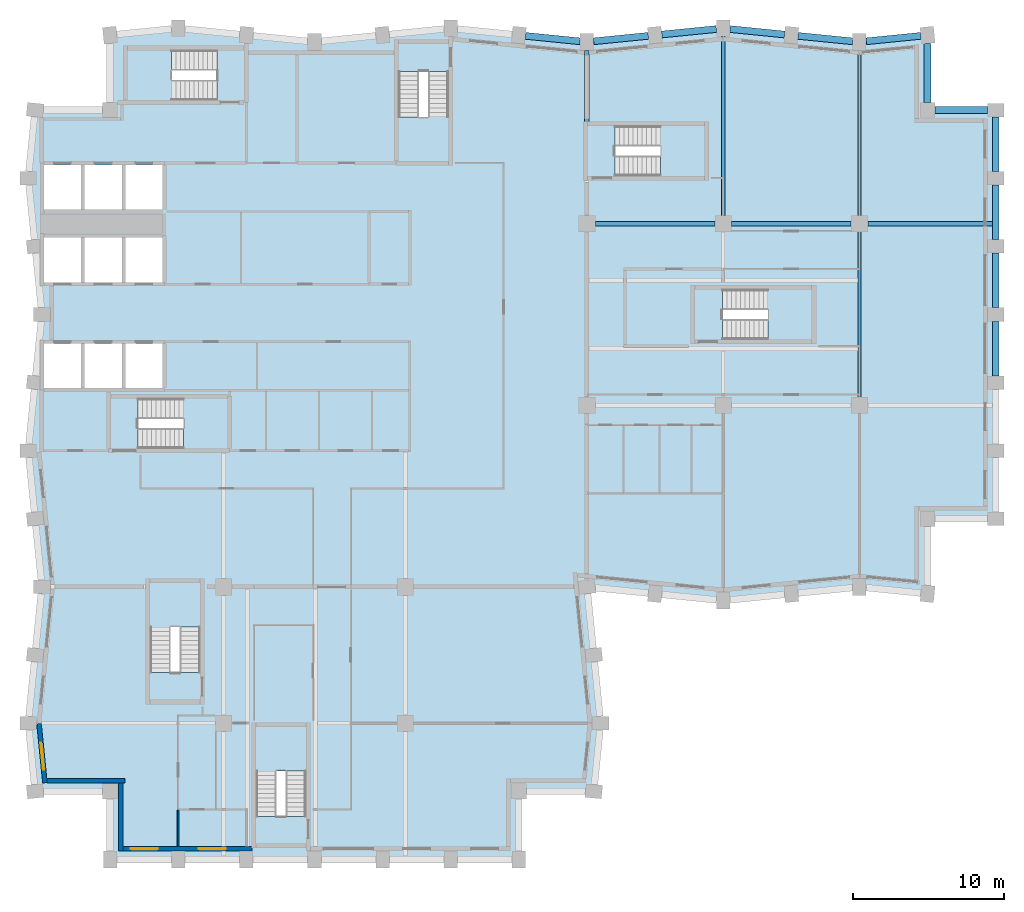
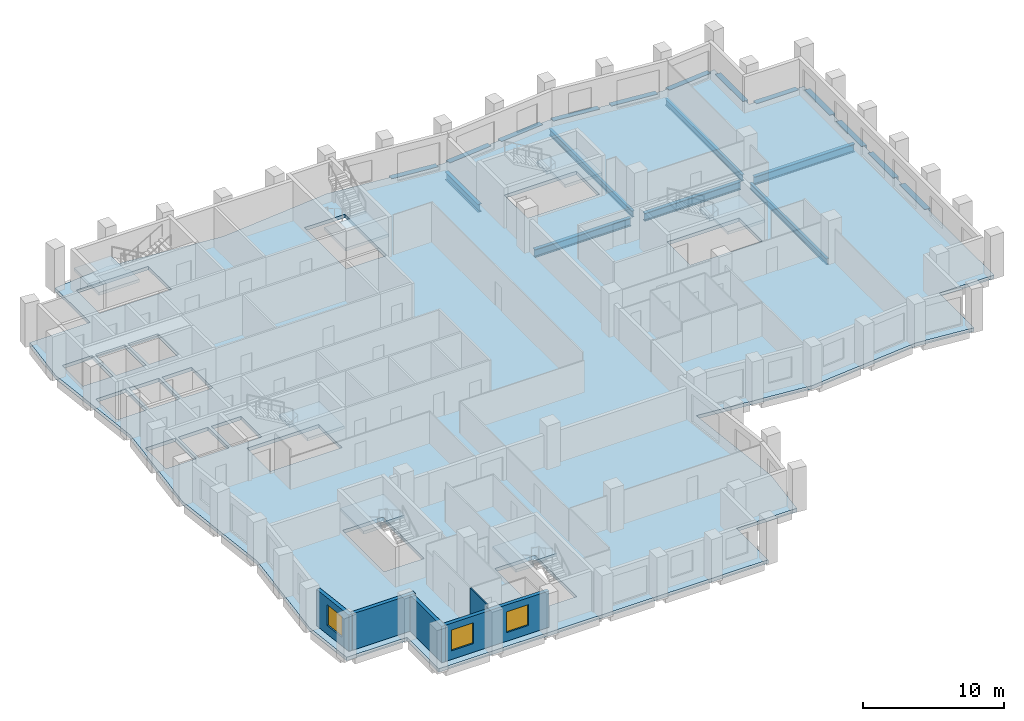
# One storey, part 2 of 10: 19 beams, 8 slabs, 5 walls, 3 windows, 3 openings, 7 elements without a shape of their own.
"""IFC4 building model written with IfcOpenShell, lengths in metres."""

from ifc_helpers import new_model, si_unit, direction, frame, frame_2d, origin, origin_2d, place, context, subcontext, project, spatial, polyline, rectangle, i_section, outline, extrude, material, layer, layer_set, material_profile, profile_set, type_object, element, fill, aggregate, save


model = new_model("IFC4")

# Units and contexts
model_context = context("Model", 3, precision=1e-05, world=origin(), true_north=direction((0.0, 1.0)))
body_context = subcontext(model_context, "Body", "Model", "MODEL_VIEW")
ifc_project = project(units=[si_unit("LENGTHUNIT", "METRE"), si_unit("AREAUNIT", "SQUARE_METRE"), si_unit("VOLUMEUNIT", "CUBIC_METRE"), si_unit("PLANEANGLEUNIT", "RADIAN"), si_unit("MASSUNIT", "GRAM", prefix="KILO")], contexts=[model_context])

# Site, building, storey
site_placement = place(None, origin())
site = spatial("IfcSite", under=ifc_project, at=site_placement, CompositionType="ELEMENT")
building_placement = place(site_placement, origin())
building = spatial("IfcBuilding", under=site, at=building_placement, Name="Brondeck Convention Tower", CompositionType="ELEMENT")
storey_placement = place(building_placement, frame((0.0, 0.0, 147.199951171875)))
storey = spatial("IfcBuildingStorey", under=building, at=storey_placement, Name="L35", CompositionType="ELEMENT", Elevation=147.199951171875)

# Beams
ifc_material_1 = material(Name="Steel S355", Category="steel")
ifc_material_profile_1 = material_profile(ifc_material_1, i_section(OverallWidth=0.2099609375, OverallDepth=0.550048828125, WebThickness=0.010986328125, FlangeThickness=0.01708984375, FilletRadius=0.02392578125, at=origin_2d()), Name="IPE 550")
ifc_profile_set_1 = profile_set([ifc_material_profile_1], Name="Steel S355")
beam_type_1 = type_object("IfcBeamType", Name="Floor beam IPE 550", PredefinedType="BEAM", material=ifc_profile_set_1)
beam_1_placement = place(storey_placement, frame((45.0, 51.550048828125, -0.574951171875), z_axis=(0.0, 1.0, 0.0), x_axis=(-1.0, 0.0, 0.0)))
element("IfcBeam", 1, at=beam_1_placement, inside=storey, type_object=beam_type_1, Name="STR-FB-L35-002", PredefinedType="BEAM", context=body_context, shape_type="SweptSolid", body=[
    extrude(i_section(OverallWidth=0.2099609375, OverallDepth=0.550048828125, WebThickness=0.010986328125, FlangeThickness=0.01708984375, FilletRadius=0.02392578125, at=origin_2d()), origin(), (0.0, 0.0, 1.0), 11.800048828125),
])
for number, where, z_axis, x_axis, name in (
    (2, (54.0, 39.550048828125, -0.574951171875), (0.0, 1.0, 0.0), (-1.0, 0.0, 0.0), "STR-FB-L35-004"),
    (3, (54.0, 51.550048828125, -0.574951171875), (0.0, 1.0, 0.0), (-1.0, 0.0, 0.0), "STR-FB-L35-005"),
):
    element("IfcBeam", number, at=place(storey_placement, frame(where, z_axis=z_axis, x_axis=x_axis)), inside=storey, type_object=beam_type_1, Name=name, PredefinedType="BEAM", context=body_context, shape_type="SweptSolid", body=[
        extrude(i_section(OverallWidth=0.2099609375, OverallDepth=0.550048828125, WebThickness=0.010986328125, FlangeThickness=0.01708984375, FilletRadius=0.02392578125, at=origin_2d()), origin(), (0.0, 0.0, 1.0), 10.89990234375),
    ])
ifc_material_profile_2 = material_profile(ifc_material_1, i_section(OverallWidth=0.300048828125, OverallDepth=0.699951171875, WebThickness=0.01708984375, FlangeThickness=0.031982421875, FilletRadius=0.027099609375, at=origin_2d()), Name="HEB 700")
ifc_profile_set_2 = profile_set([ifc_material_profile_2], Name="Steel S355")
beam_type_2 = type_object("IfcBeamType", Name="Girder HEB 700", PredefinedType="BEAM", material=ifc_profile_set_2)
for number, where, z_axis, x_axis, name in (
    (4, (36.550048828125, 51.0, -0.64990234375), (1.0, 0.0, 0.0), (0.0, 1.0, 0.0), "STR-GR-L35-004"),
    (5, (45.550048828125, 51.0, -0.64990234375), (1.0, 0.0, 0.0), (0.0, 1.0, 0.0), "STR-GR-L35-005"),
):
    element("IfcBeam", number, at=place(storey_placement, frame(where, z_axis=z_axis, x_axis=x_axis)), inside=storey, type_object=beam_type_2, Name=name, PredefinedType="BEAM", context=body_context, shape_type="SweptSolid", body=[
        extrude(i_section(OverallWidth=0.300048828125, OverallDepth=0.699951171875, WebThickness=0.01708984375, FlangeThickness=0.031982421875, FilletRadius=0.027099609375, at=origin_2d()), origin(), (0.0, 0.0, 1.0), 7.89990234375),
    ])
beam_2_placement = place(storey_placement, frame((54.550048828125, 51.0, -0.64990234375), z_axis=(1.0, 0.0, 0.0), x_axis=(0.0, 1.0, 0.0)))
element("IfcBeam", 6, at=beam_2_placement, inside=storey, type_object=beam_type_2, Name="STR-GR-L35-006", PredefinedType="BEAM", context=body_context, shape_type="SweptSolid", body=[
    extrude(i_section(OverallWidth=0.300048828125, OverallDepth=0.699951171875, WebThickness=0.01708984375, FlangeThickness=0.031982421875, FilletRadius=0.027099609375, at=origin_2d()), origin(), (0.0, 0.0, 1.0), 8.224853515625),
])
beam_3_placement = place(storey_placement, frame((36.0, 57.719970703125, -0.64990234375), z_axis=(0.0, 1.0, 0.0), x_axis=(-1.0, 0.0, 0.0)))
element("IfcBeam", 7, at=beam_3_placement, inside=storey, type_object=beam_type_2, Name="STR-GR-L35-010", PredefinedType="BEAM", context=body_context, shape_type="SweptSolid", body=[
    extrude(i_section(OverallWidth=0.300048828125, OverallDepth=0.699951171875, WebThickness=0.01708984375, FlangeThickness=0.031982421875, FilletRadius=0.027099609375, at=origin_2d()), origin(), (0.0, 0.0, 1.0), 4.72998046875),
])
ifc_material_2 = material(Name="Concrete C70/85", Category="concrete")
ifc_material_profile_3 = material_profile(ifc_material_2, rectangle(XDim=0.449951171875, YDim=0.64990234375, at=origin_2d()), Name="Precast spandrel 450x650 Concrete C70/85")
ifc_profile_set_3 = profile_set([ifc_material_profile_3], Name="Concrete C70/85")
beam_type_3 = type_object("IfcBeamType", Name="Precast spandrel 450x650 Concrete C70/85", PredefinedType="SPANDREL", material=ifc_profile_set_3)
for number, where, z_axis, x_axis, name in (
    (8, (63.0, 40.949951171875, -0.324951171875), (0.0, 1.0, 0.0), (-1.0, 0.0, 0.0), "STR-SP-L35-021"),
    (9, (63.0, 45.449951171875, -0.324951171875), (0.0, 1.0, 0.0), (-1.0, 0.0, 0.0), "STR-SP-L35-022"),
    (10, (63.0, 49.949951171875, -0.324951171875), (0.0, 1.0, 0.0), (-1.0, 0.0, 0.0), "STR-SP-L35-023"),
    (11, (63.0, 54.449951171875, -0.324951171875), (0.0, 1.0, 0.0), (-1.0, 0.0, 0.0), "STR-SP-L35-024"),
):
    element("IfcBeam", number, at=place(storey_placement, frame(where, z_axis=z_axis, x_axis=x_axis)), inside=storey, type_object=beam_type_3, Name=name, PredefinedType="SPANDREL", context=body_context, shape_type="SweptSolid", body=[
        extrude(rectangle(XDim=0.449951171875, YDim=0.64990234375, at=origin_2d()), origin(), (0.0, 0.0, 1.0), 3.60009765625),
    ])
beam_4_placement = place(storey_placement, frame((62.449951171875, 58.5, -0.324951171875), z_axis=(-1.0, 0.0, 0.0), x_axis=(0.0, -1.0, 0.0)))
element("IfcBeam", 12, at=beam_4_placement, inside=storey, type_object=beam_type_3, Name="STR-SP-L35-025", PredefinedType="SPANDREL", context=body_context, shape_type="SweptSolid", body=[
    extrude(rectangle(XDim=0.449951171875, YDim=0.64990234375, at=origin_2d()), origin(), (0.0, 0.0, 1.0), 3.449951171875),
])
beam_5_placement = place(storey_placement, frame((58.5, 59.0, -0.324951171875), z_axis=(0.0, 1.0, 0.0), x_axis=(-1.0, 0.0, 0.0)))
element("IfcBeam", 13, at=beam_5_placement, inside=storey, type_object=beam_type_3, Name="STR-SP-L35-026", PredefinedType="SPANDREL", context=body_context, shape_type="SweptSolid", body=[
    extrude(rectangle(XDim=0.449951171875, YDim=0.64990234375, at=origin_2d()), origin(), (0.0, 0.0, 1.0), 3.897216796875),
])
for number, where, z_axis, x_axis, name in (
    (14, (58.05224609375, 63.4052734375, -0.324951171875), (-0.995033851182, -0.099537103649, 0.0), (0.099537103649, -0.995033851182, 0.0), "STR-SP-L35-027"),
    (15, (53.550048828125, 63.044921875, -0.324951171875), (-0.995033851182, 0.099537103649, 0.0), (-0.099537103649, -0.995033851182, 0.0), "STR-SP-L35-028"),
    (16, (49.05224609375, 63.494873046875, -0.324951171875), (-0.995040528141, 0.099470334057, 0.0), (-0.099470334057, -0.995040528141, 0.0), "STR-SP-L35-029"),
    (17, (44.550048828125, 63.85498046875, -0.324951171875), (-0.995040528141, -0.099470334057, 0.0), (0.099470334057, -0.995040528141, 0.0), "STR-SP-L35-030"),
    (18, (40.05224609375, 63.4052734375, -0.324951171875), (-0.995033851182, -0.099537103649, 0.0), (0.099537103649, -0.995033851182, 0.0), "STR-SP-L35-031"),
    (19, (35.550048828125, 63.044921875, -0.324951171875), (-0.995033851182, 0.099537103649, 0.0), (-0.099537103649, -0.995033851182, 0.0), "STR-SP-L35-032"),
):
    element("IfcBeam", number, at=place(storey_placement, frame(where, z_axis=z_axis, x_axis=x_axis)), inside=storey, type_object=beam_type_3, Name=name, PredefinedType="SPANDREL", context=body_context, shape_type="SweptSolid", body=[
        extrude(rectangle(XDim=0.449951171875, YDim=0.64990234375, at=origin_2d()), origin(), (0.0, 0.0, 1.0), 3.620361328125),
    ])

# Slab
ifc_material_3 = material(Name="Concrete C35/45", Category="concrete")
ifc_layer_1 = layer(ifc_material_3, 0.300048828125)
ifc_layer_set_1 = layer_set([ifc_layer_1], Name="Composite floor slab 300")
slab_type_1 = type_object("IfcSlabType", Name="Composite floor slab 300", PredefinedType="FLOOR", material=ifc_layer_set_1)
slab_1_placement = place(storey_placement, frame((0.0, 0.0, -0.300048828125)))
element("IfcSlab", 20, at=slab_1_placement, inside=storey, type_object=slab_type_1, Name="STR-SL-L35", PredefinedType="FLOOR", context=body_context, shape_type="SweptSolid", body=[
    extrude(outline(polyline([(4.5, 13.5), (-0.449951171875, 13.5), (-0.89990234375, 18.0), (0.0, 27.0), (-0.89990234375, 36.0), (0.0, 45.0), (-0.89990234375, 54.0), (-0.449951171875, 58.5), (4.5, 58.5), (4.5, 63.449951171875), (9.0, 63.89990234375), (18.0, 63.0), (27.0, 63.89990234375), (36.0, 63.0), (45.0, 63.89990234375), (54.0, 63.0), (58.5, 63.449951171875), (58.5, 58.5), (63.0, 58.5), (63.0, 31.5), (58.5, 31.5), (58.5, 26.550048828125), (54.0, 27.0), (45.0, 26.10009765625), (36.0, 27.0), (36.89990234375, 18.0), (36.449951171875, 13.5), (31.5, 13.5), (31.5, 9.0), (4.5, 9.0), (4.5, 13.5)]), holes=[polyline([(2.574951171875, 40.125), (2.574951171875, 43.074951171875), (0.125, 43.074951171875), (0.125, 40.125), (2.574951171875, 40.125)]), polyline([(5.27490234375, 40.125), (5.27490234375, 43.074951171875), (2.824951171875, 43.074951171875), (2.824951171875, 40.125), (5.27490234375, 40.125)]), polyline([(7.97509765625, 40.125), (7.97509765625, 43.074951171875), (5.52490234375, 43.074951171875), (5.52490234375, 40.125), (7.97509765625, 40.125)]), polyline([(2.574951171875, 47.125), (2.574951171875, 50.074951171875), (0.125, 50.074951171875), (0.125, 47.125), (2.574951171875, 47.125)]), polyline([(5.27490234375, 47.125), (5.27490234375, 50.074951171875), (2.824951171875, 50.074951171875), (2.824951171875, 47.125), (5.27490234375, 47.125)]), polyline([(7.97509765625, 47.125), (7.97509765625, 50.074951171875), (5.52490234375, 50.074951171875), (5.52490234375, 47.125), (7.97509765625, 47.125)]), polyline([(2.574951171875, 51.925048828125), (2.574951171875, 54.875), (0.125, 54.875), (0.125, 51.925048828125), (2.574951171875, 51.925048828125)]), polyline([(5.27490234375, 51.925048828125), (5.27490234375, 54.875), (2.824951171875, 54.875), (2.824951171875, 51.925048828125), (5.27490234375, 51.925048828125)]), polyline([(17.447998046875, 17.748046875), (14.152099609375, 17.748046875), (14.152099609375, 11.85205078125), (17.447998046875, 11.85205078125), (17.447998046875, 17.748046875)]), polyline([(10.447998046875, 27.248046875), (7.152099609375, 27.248046875), (7.152099609375, 21.35205078125), (10.447998046875, 21.35205078125), (10.447998046875, 27.248046875)]), polyline([(12.248046875, 36.152099609375), (12.248046875, 39.447998046875), (6.35205078125, 39.447998046875), (6.35205078125, 36.152099609375), (12.248046875, 36.152099609375)]), polyline([(50.847900390625, 43.35205078125), (50.847900390625, 46.64794921875), (44.951904296875, 46.64794921875), (44.951904296875, 43.35205078125), (50.847900390625, 43.35205078125)]), polyline([(7.97509765625, 51.925048828125), (7.97509765625, 54.875), (5.52490234375, 54.875), (5.52490234375, 51.925048828125), (7.97509765625, 51.925048828125)]), polyline([(43.748046875, 54.152099609375), (43.748046875, 57.447998046875), (37.85205078125, 57.447998046875), (37.85205078125, 54.152099609375), (43.748046875, 54.152099609375)]), polyline([(23.552001953125, 55.152099609375), (26.847900390625, 55.152099609375), (26.847900390625, 61.048095703125), (23.552001953125, 61.048095703125), (23.552001953125, 55.152099609375)]), polyline([(5.652099609375, 62.447998046875), (5.652099609375, 59.152099609375), (11.548095703125, 59.152099609375), (11.548095703125, 62.447998046875), (5.652099609375, 62.447998046875)])]), origin(), (0.0, 0.0, 1.0), 0.300048828125),
])

# Stair, slab
ifc_material_4 = material(Name="Precast concrete C50/60", Category="concrete")
stair_type = type_object("IfcStairType", Name="Core stair 22 risers 172.73 mm riser 300 mm going 1350 wide", PredefinedType="HALF_TURN_STAIR", material=ifc_material_4)
stair_1_placement = place(storey_placement, origin())
stair_1 = element("IfcStair", 21, at=stair_1_placement, inside=storey, type_object=stair_type, Name="ST-1 L35 stair", PredefinedType="HALF_TURN_STAIR")
ifc_layer_2 = layer(ifc_material_4, 0.25)
ifc_layer_set_2 = layer_set([ifc_layer_2], Name="Core stair landing 250 Precast concrete C50/60")
slab_type_2 = type_object("IfcSlabType", Name="Core stair landing 250 Precast concrete C50/60", PredefinedType="LANDING", material=ifc_layer_set_2)
slab_2_placement = place(storey_placement, frame((0.0, 0.0, 1.650146484375)))
slab_2 = element("IfcSlab", 22, at=slab_2_placement, type_object=slab_type_2, Name="ST-1 landing 1", PredefinedType="LANDING", context=body_context, shape_type="SweptSolid", body=[
    extrude(outline(polyline([(9.347900390625, 37.5), (9.35009765625, 37.5), (9.35009765625, 38.10009765625), (9.050048828125, 38.10009765625), (9.050048828125, 39.570068359375), (12.3701171875, 39.570068359375), (12.3701171875, 36.030029296875), (9.347900390625, 36.030029296875), (9.347900390625, 37.5)])), origin(), (0.0, 0.0, 1.0), 0.25),
])
aggregate(stair_1, [slab_2])

stair_2_placement = place(storey_placement, origin())
stair_2 = element("IfcStair", 23, at=stair_2_placement, inside=storey, type_object=stair_type, Name="ST-2 L35 stair", PredefinedType="HALF_TURN_STAIR")
slab_3_placement = place(storey_placement, frame((0.0, 0.0, 1.650146484375)))
slab_3 = element("IfcSlab", 24, at=slab_3_placement, type_object=slab_type_2, Name="ST-2 landing 1", PredefinedType="LANDING", context=body_context, shape_type="SweptSolid", body=[
    extrude(outline(polyline([(23.429931640625, 58.052001953125), (24.89990234375, 58.052001953125), (24.89990234375, 58.050048828125), (25.5, 58.050048828125), (25.5, 58.35009765625), (26.969970703125, 58.35009765625), (26.969970703125, 55.030029296875), (23.429931640625, 55.030029296875), (23.429931640625, 58.052001953125)])), origin(), (0.0, 0.0, 1.0), 0.25),
])
aggregate(stair_2, [slab_3])

stair_3_placement = place(storey_placement, origin())
stair_3 = element("IfcStair", 25, at=stair_3_placement, inside=storey, type_object=stair_type, Name="ST-3 L35 stair", PredefinedType="HALF_TURN_STAIR")
slab_4_placement = place(storey_placement, frame((0.0, 0.0, 1.650146484375)))
slab_4 = element("IfcSlab", 26, at=slab_4_placement, type_object=slab_type_2, Name="ST-3 landing 1", PredefinedType="LANDING", context=body_context, shape_type="SweptSolid", body=[
    extrude(outline(polyline([(8.85009765625, 60.5), (8.85009765625, 59.030029296875), (5.530029296875, 59.030029296875), (5.530029296875, 62.570068359375), (8.552001953125, 62.570068359375), (8.552001953125, 61.10009765625), (8.550048828125, 61.10009765625), (8.550048828125, 60.5), (8.85009765625, 60.5)])), origin(), (0.0, 0.0, 1.0), 0.25),
])
aggregate(stair_3, [slab_4])

stair_4_placement = place(storey_placement, origin())
stair_4 = element("IfcStair", 27, at=stair_4_placement, inside=storey, type_object=stair_type, Name="ST-AE L35 stair", PredefinedType="HALF_TURN_STAIR")
slab_5_placement = place(storey_placement, frame((0.0, 0.0, 1.650146484375)))
slab_5 = element("IfcSlab", 28, at=slab_5_placement, type_object=slab_type_2, Name="ST-AE landing 1", PredefinedType="LANDING", context=body_context, shape_type="SweptSolid", body=[
    extrude(outline(polyline([(40.847900390625, 55.5), (40.85009765625, 55.5), (40.85009765625, 56.10009765625), (40.550048828125, 56.10009765625), (40.550048828125, 57.570068359375), (43.8701171875, 57.570068359375), (43.8701171875, 54.030029296875), (40.847900390625, 54.030029296875), (40.847900390625, 55.5)])), origin(), (0.0, 0.0, 1.0), 0.25),
])
aggregate(stair_4, [slab_5])

stair_5_placement = place(storey_placement, origin())
stair_5 = element("IfcStair", 29, at=stair_5_placement, inside=storey, type_object=stair_type, Name="ST-BE L35 stair", PredefinedType="HALF_TURN_STAIR")
slab_6_placement = place(storey_placement, frame((0.0, 0.0, 1.650146484375)))
slab_6 = element("IfcSlab", 30, at=slab_6_placement, type_object=slab_type_2, Name="ST-BE landing 1", PredefinedType="LANDING", context=body_context, shape_type="SweptSolid", body=[
    extrude(outline(polyline([(7.030029296875, 24.050048828125), (7.030029296875, 27.3701171875), (10.570068359375, 27.3701171875), (10.570068359375, 24.347900390625), (9.10009765625, 24.347900390625), (9.10009765625, 24.35009765625), (8.5, 24.35009765625), (8.5, 24.050048828125), (7.030029296875, 24.050048828125)])), origin(), (0.0, 0.0, 1.0), 0.25),
])
aggregate(stair_5, [slab_6])

stair_6_placement = place(storey_placement, origin())
stair_6 = element("IfcStair", 31, at=stair_6_placement, inside=storey, type_object=stair_type, Name="ST-AF L35 stair", PredefinedType="HALF_TURN_STAIR")
slab_7_placement = place(storey_placement, frame((0.0, 0.0, 1.650146484375)))
slab_7 = element("IfcSlab", 32, at=slab_7_placement, type_object=slab_type_2, Name="ST-AF landing 1", PredefinedType="LANDING", context=body_context, shape_type="SweptSolid", body=[
    extrude(outline(polyline([(47.947998046875, 44.699951171875), (47.949951171875, 44.699951171875), (47.949951171875, 45.300048828125), (47.64990234375, 45.300048828125), (47.64990234375, 46.77001953125), (50.969970703125, 46.77001953125), (50.969970703125, 43.22998046875), (47.947998046875, 43.22998046875), (47.947998046875, 44.699951171875)])), origin(), (0.0, 0.0, 1.0), 0.25),
])
aggregate(stair_6, [slab_7])

stair_7_placement = place(storey_placement, origin())
stair_7 = element("IfcStair", 33, at=stair_7_placement, inside=storey, type_object=stair_type, Name="ST-BF L35 stair", PredefinedType="HALF_TURN_STAIR")
slab_8_placement = place(storey_placement, frame((0.0, 0.0, 1.650146484375)))
slab_8 = element("IfcSlab", 34, at=slab_8_placement, type_object=slab_type_2, Name="ST-BF landing 1", PredefinedType="LANDING", context=body_context, shape_type="SweptSolid", body=[
    extrude(outline(polyline([(14.030029296875, 14.550048828125), (14.030029296875, 17.8701171875), (17.570068359375, 17.8701171875), (17.570068359375, 14.847900390625), (16.10009765625, 14.847900390625), (16.10009765625, 14.85009765625), (15.5, 14.85009765625), (15.5, 14.550048828125), (14.030029296875, 14.550048828125)])), origin(), (0.0, 0.0, 1.0), 0.25),
])
aggregate(stair_7, [slab_8])

# Wall, openings, windows
ifc_material_5 = material(Name="Precast concrete C50/60 bronze finish", Category="concrete")
ifc_layer_3 = layer(ifc_material_5, 0.070068359375, Name="Bronze precast facing")
ifc_material_6 = material(Name="Mineral wool")
ifc_layer_4 = layer(ifc_material_6, 0.159912109375, Name="Insulation")
ifc_layer_5 = layer(ifc_material_3, 0.070068359375, Name="Backing")
ifc_layer_set_3 = layer_set([ifc_layer_3, ifc_layer_4, ifc_layer_5], Name="External infill wall, precast concrete C50/60 bronze facing")
wall_type_1 = type_object("IfcWallType", Name="External infill wall, precast concrete C50/60 bronze facing", PredefinedType="SOLIDWALL", material=ifc_layer_set_3)
wall_1_placement = place(storey_placement, frame((13.860107421875, 9.699951171875, 0.0), z_axis=(0.0, 0.0, 1.0), x_axis=(-1.0, 0.0, 0.0)))
wall_1 = element("IfcWall", 35, at=wall_1_placement, inside=storey, type_object=wall_type_1, Name="ENV-EW-L35-P1-B-S9-01", PredefinedType="SOLIDWALL", context=body_context, shape_type="SweptSolid", body=[
    extrude(rectangle(XDim=8.510009765625, YDim=0.300048828125, at=frame_2d((4.2548828125, 0.0))), origin(), (0.0, 0.0, 1.0), 3.150146484375),
])
opening_1_placement = place(wall_1_placement, frame((1.7099609375, 0.0, 0.75)))
opening_1 = element("IfcOpeningElement", 36, at=opening_1_placement, cuts=wall_1, Name="Opening W10", PredefinedType="OPENING", context=body_context, shape_type="SweptSolid", body=[
    extrude(rectangle(XDim=1.800048828125, YDim=1.800048828125, at=frame_2d((0.89990234375, 0.89990234375))), frame((0.0, 0.159912109375, 0.0), z_axis=(0.0, -1.0, 0.0), x_axis=(1.0, 0.0, 0.0)), (0.0, 0.0, 1.0), 0.320068359375),
])
opening_2_placement = place(wall_1_placement, frame((6.2099609375, 0.0, 0.75)))
opening_2 = element("IfcOpeningElement", 37, at=opening_2_placement, cuts=wall_1, Name="Opening W10", PredefinedType="OPENING", context=body_context, shape_type="SweptSolid", body=[
    extrude(rectangle(XDim=1.800048828125, YDim=1.800048828125, at=frame_2d((0.89990234375, 0.89990234375))), frame((0.0, 0.159912109375, 0.0), z_axis=(0.0, -1.0, 0.0), x_axis=(1.0, 0.0, 0.0)), (0.0, 0.0, 1.0), 0.320068359375),
])
ifc_material_7 = material(Name="Bronze tinted double glazing", Category="glass")
window_type = type_object("IfcWindowType", Name="Punched window, bronze tinted", PartitioningType="SINGLE_PANEL", PredefinedType="WINDOW", material=ifc_material_7)
window_1_placement = place(opening_1_placement, origin())
window_1 = element("IfcWindow", 38, at=window_1_placement, inside=storey, type_object=window_type, Name="ENV-WN-L35-P1-B-S9-02", OverallHeight=1.800048828125, OverallWidth=1.800048828125, PartitioningType="SINGLE_PANEL", PredefinedType="WINDOW", context=body_context, shape_type="SweptSolid", body=[
    extrude(rectangle(XDim=1.800048828125, YDim=1.800048828125, at=frame_2d((0.89990234375, 0.89990234375))), frame((0.0, 0.030029296875, 0.0), z_axis=(0.0, -1.0, 0.0), x_axis=(1.0, 0.0, 0.0)), (0.0, 0.0, 1.0), 0.06005859375),
])
fill(opening_1, window_1)
window_2_placement = place(opening_2_placement, origin())
window_2 = element("IfcWindow", 39, at=window_2_placement, inside=storey, type_object=window_type, Name="ENV-WN-L35-P1-B-S9-01", OverallHeight=1.800048828125, OverallWidth=1.800048828125, PartitioningType="SINGLE_PANEL", PredefinedType="WINDOW", context=body_context, shape_type="SweptSolid", body=[
    extrude(rectangle(XDim=1.800048828125, YDim=1.800048828125, at=frame_2d((0.89990234375, 0.89990234375))), frame((0.0, 0.030029296875, 0.0), z_axis=(0.0, -1.0, 0.0), x_axis=(1.0, 0.0, 0.0)), (0.0, 0.0, 1.0), 0.06005859375),
])
fill(opening_2, window_2)

# Wall, opening, window
wall_2_placement = place(storey_placement, frame((0.197021484375, 14.06494140625, 0.0), z_axis=(0.0, 0.0, 1.0), x_axis=(-0.099528354722, 0.995034726332, 0.0)))
wall_2 = element("IfcWall", 40, at=wall_2_placement, inside=storey, type_object=wall_type_1, Name="ENV-EW-L35-P1-B-W-10", PredefinedType="SOLIDWALL", context=body_context, shape_type="SweptSolid", body=[
    extrude(rectangle(XDim=3.9248046875, YDim=0.300048828125, at=frame_2d((1.96240234375, 0.0))), origin(), (0.0, 0.0, 1.0), 3.150146484375),
])
opening_3_placement = place(wall_2_placement, frame((0.863525390625, 0.0, 0.75)))
opening_3 = element("IfcOpeningElement", 41, at=opening_3_placement, cuts=wall_2, Name="Opening W10", PredefinedType="OPENING", context=body_context, shape_type="SweptSolid", body=[
    extrude(rectangle(XDim=1.800048828125, YDim=1.800048828125, at=frame_2d((0.89990234375, 0.89990234375))), frame((0.0, 0.159912109375, 0.0), z_axis=(0.0, -1.0, 0.0), x_axis=(1.0, 0.0, 0.0)), (0.0, 0.0, 1.0), 0.320068359375),
])
window_3_placement = place(opening_3_placement, origin())
window_3 = element("IfcWindow", 42, at=window_3_placement, inside=storey, type_object=window_type, Name="ENV-WN-L35-P1-B-W-10", OverallHeight=1.800048828125, OverallWidth=1.800048828125, PartitioningType="SINGLE_PANEL", PredefinedType="WINDOW", context=body_context, shape_type="SweptSolid", body=[
    extrude(rectangle(XDim=1.800048828125, YDim=1.800048828125, at=frame_2d((0.89990234375, 0.89990234375))), frame((0.0, 0.030029296875, 0.0), z_axis=(0.0, -1.0, 0.0), x_axis=(1.0, 0.0, 0.0)), (0.0, 0.0, 1.0), 0.06005859375),
])
fill(opening_3, window_3)

# Walls
wall_3_placement = place(storey_placement, frame((5.5, 14.199951171875, 0.0), z_axis=(0.0, 0.0, 1.0), x_axis=(-1.0, 0.0, 0.0)))
element("IfcWall", 43, at=wall_3_placement, inside=storey, type_object=wall_type_1, Name="ENV-EW-L35-P1-NC-SWB9-01", PredefinedType="SOLIDWALL", context=body_context, shape_type="SweptSolid", body=[
    extrude(rectangle(XDim=5.16455078125, YDim=0.300048828125, at=frame_2d((2.582275390625, 0.0))), origin(), (0.0, 0.0, 1.0), 3.150146484375),
])
wall_4_placement = place(storey_placement, frame((5.199951171875, 9.550048828125, 0.0), z_axis=(0.0, 0.0, 1.0), x_axis=(0.0, 1.0, 0.0)))
element("IfcWall", 44, at=wall_4_placement, inside=storey, type_object=wall_type_1, Name="ENV-EW-L35-P1-NC-SWB9-02", PredefinedType="SOLIDWALL", context=body_context, shape_type="SweptSolid", body=[
    extrude(rectangle(XDim=4.501953125, YDim=0.300048828125, at=frame_2d((2.2509765625, 0.0))), origin(), (0.0, 0.0, 1.0), 3.150146484375),
])
ifc_material_8 = material(Name="Gypsum board partition on steel studs", Category="steel")
ifc_layer_6 = layer(ifc_material_8, 0.10009765625)
ifc_layer_set_4 = layer_set([ifc_layer_6], Name="Room partition 100")
wall_type_2 = type_object("IfcWallType", Name="Room partition 100", PredefinedType="PARTITIONING", material=ifc_layer_set_4)
wall_5_placement = place(storey_placement, frame((9.0, 9.8701171875, 0.0), z_axis=(0.0, 0.0, 1.0), x_axis=(0.0, 1.0, 0.0)))
element("IfcWall", 45, at=wall_5_placement, inside=storey, type_object=wall_type_2, Name="FLR-L35-W001", PredefinedType="PARTITIONING", context=body_context, shape_type="SweptSolid", body=[
    extrude(rectangle(XDim=2.3798828125, YDim=0.10009765625, at=frame_2d((1.18994140625, 0.0))), origin(), (0.0, 0.0, 1.0), 3.47998046875),
])

save(model, "model.ifc")
